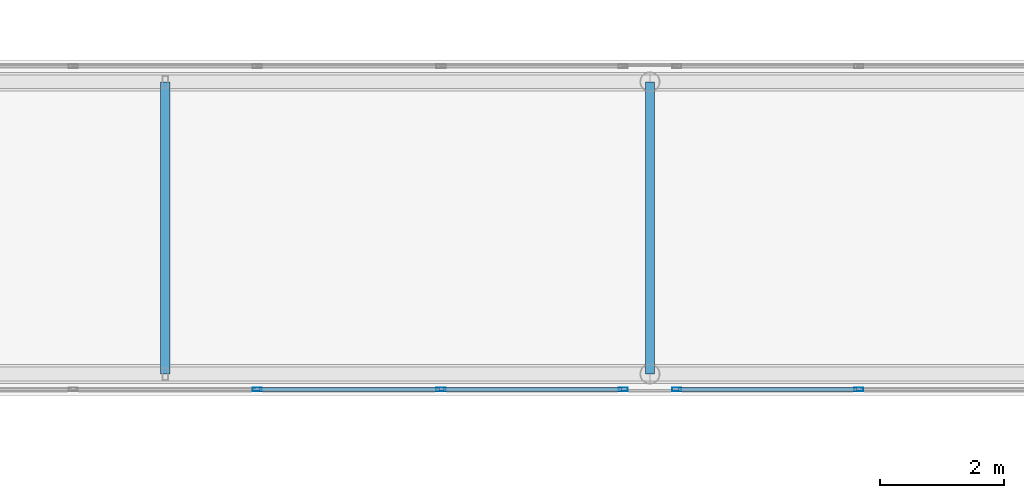
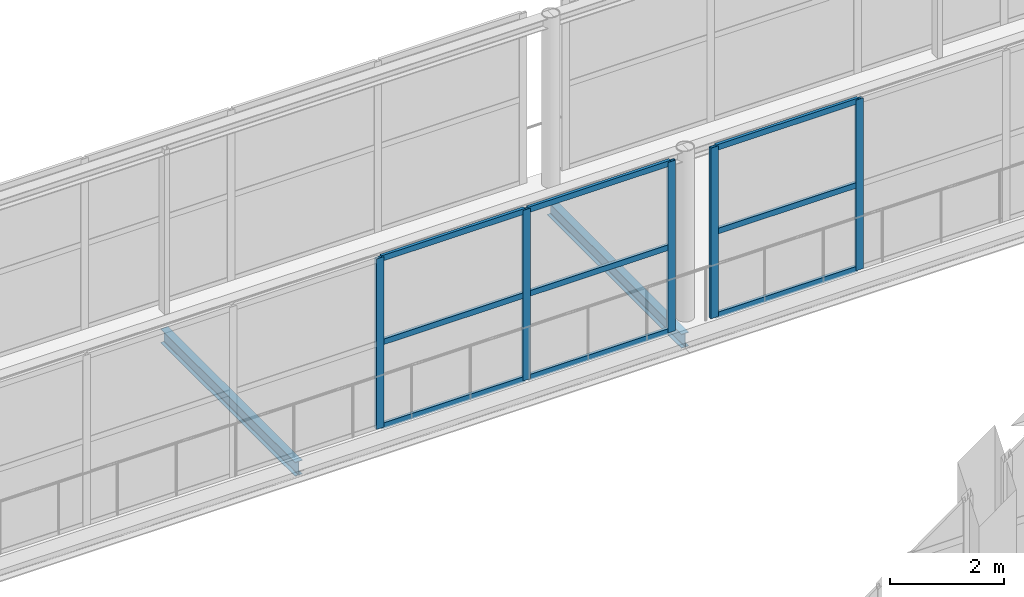
# One storey, part 50 of 175: 14 members, 2 beams, 2 elements without a shape of their own.
"""IFC4 building model written with IfcOpenShell, lengths in metres."""

from ifc_helpers import new_model, si_unit, direction, frame, origin, origin_2d, place, context, subcontext, project, spatial, hollow_rectangle, i_section, extrude, material, layer, layer_set, material_profile, profile_set, type_object, element, aggregate, save


model = new_model("IFC4")

# Units and contexts
model_context = context("Model", 3, precision=1e-05, world=origin(), true_north=direction((0.0, 1.0)))
body_context = subcontext(model_context, "Body", "Model", "MODEL_VIEW")
ifc_project = project(units=[si_unit("LENGTHUNIT", "METRE"), si_unit("AREAUNIT", "SQUARE_METRE"), si_unit("VOLUMEUNIT", "CUBIC_METRE"), si_unit("PLANEANGLEUNIT", "RADIAN"), si_unit("MASSUNIT", "GRAM", prefix="KILO")], contexts=[model_context])

# Site, building, storey
site_placement = place(None, origin())
site = spatial("IfcSite", under=ifc_project, at=site_placement, CompositionType="ELEMENT")
building_placement = place(site_placement, origin())
building = spatial("IfcBuilding", under=site, at=building_placement, Name="Zizhar Promenade General Hospital", CompositionType="ELEMENT")
storey_placement = place(building_placement, frame((0.0, 0.0, 4.800048828125)))
storey = spatial("IfcBuildingStorey", under=building, at=storey_placement, Name="L01", CompositionType="ELEMENT", Elevation=4.800048828125)

# Beams
ifc_material_1 = material(Name="Steel S355", Category="steel")
ifc_material_profile_1 = material_profile(ifc_material_1, i_section(OverallWidth=0.14990234375, OverallDepth=0.300048828125, WebThickness=0.007080078125, FlangeThickness=0.0107421875, FilletRadius=0.014892578125, at=origin_2d()))
ifc_profile_set_1 = profile_set([ifc_material_profile_1], Name="Steel S355")
beam_type = type_object("IfcBeamType", Name="BM-STL-IPE300", PredefinedType="JOIST", material=ifc_profile_set_1)
for number, where, z_axis, x_axis, name in (
    (1, (93.60009765625, 60.949951171875, -0.5), (0.0, 1.0, 0.0), (-1.0, 0.0, 0.0), "SB-1 Transverse Deck Beam 93.6"),
    (2, (101.39990234375, 60.949951171875, -0.5), (0.0, 1.0, 0.0), (-1.0, 0.0, 0.0), "SB-1 Transverse Deck Beam 101.4"),
):
    element("IfcBeam", number, at=place(storey_placement, frame(where, z_axis=z_axis, x_axis=x_axis)), inside=storey, type_object=beam_type, Name=name, PredefinedType="JOIST", context=body_context, shape_type="SweptSolid", body=[
        extrude(i_section(OverallWidth=0.14990234375, OverallDepth=0.300048828125, WebThickness=0.007080078125, FlangeThickness=0.0107421875, FilletRadius=0.014892578125, at=origin_2d()), origin(), (0.0, 0.0, 1.0), 4.699951171875),
    ])

# Curtain wall, members
ifc_material_2 = material(Name="Anodised aluminium 6063-T6 and low-E glass", Category="aluminium")
ifc_layer = layer(ifc_material_2, 0.159912109375)
ifc_layer_set = layer_set([ifc_layer], Name="Anodised aluminium 6063-T6 and low-E glass")
curtain_wall_type = type_object("IfcCurtainWallType", Name="CW-SKY-GLZ", PredefinedType="NOTDEFINED", material=ifc_layer_set)
curtain_wall_1_placement = place(storey_placement, origin())
curtain_wall_1 = element("IfcCurtainWall", 3, at=curtain_wall_1_placement, inside=storey, type_object=curtain_wall_type, Name="Courtyard Clinical Skybridge Level L01 South Glazing 2", PredefinedType="NOTDEFINED")
ifc_material_3 = material(Name="Anodised aluminium 6063-T6", Category="aluminium")
ifc_material_profile_2 = material_profile(ifc_material_3, hollow_rectangle(XDim=0.06005859375, YDim=0.14990234375, WallThickness=0.00390625, at=origin_2d()))
ifc_profile_set_2 = profile_set([ifc_material_profile_2], Name="Anodised aluminium 6063-T6")
member_type_1 = type_object("IfcMemberType", Name="CWM-ALU-150x60", PredefinedType="MULLION", material=ifc_profile_set_2)
member_1_placement = place(storey_placement, frame((100.969970703125, 60.699951171875, 0.0), z_axis=(0.0, 0.0, 1.0), x_axis=(0.0, -1.0, 0.0)))
member_1 = element("IfcMember", 4, at=member_1_placement, type_object=member_type_1, Name="CW-15 mullion 1", PredefinedType="MULLION", context=body_context, shape_type="SweptSolid", body=[
    extrude(hollow_rectangle(XDim=0.06005859375, YDim=0.14990234375, WallThickness=0.00390625, at=origin_2d()), origin(), (0.0, 0.0, 1.0), 3.639892578125),
])
member_2_placement = place(storey_placement, frame((98.0400390625, 60.699951171875, 0.0), z_axis=(0.0, 0.0, 1.0), x_axis=(0.0, -1.0, 0.0)))
member_2 = element("IfcMember", 5, at=member_2_placement, type_object=member_type_1, Name="CW-15 mullion 2", PredefinedType="MULLION", context=body_context, shape_type="SweptSolid", body=[
    extrude(hollow_rectangle(XDim=0.06005859375, YDim=0.14990234375, WallThickness=0.00390625, at=origin_2d()), origin(), (0.0, 0.0, 1.0), 3.639892578125),
])
member_3_placement = place(storey_placement, frame((95.080078125, 60.699951171875, 0.0), z_axis=(0.0, 0.0, 1.0), x_axis=(0.0, -1.0, 0.0)))
member_3 = element("IfcMember", 6, at=member_3_placement, type_object=member_type_1, Name="CW-15 mullion 3", PredefinedType="MULLION", context=body_context, shape_type="SweptSolid", body=[
    extrude(hollow_rectangle(XDim=0.06005859375, YDim=0.14990234375, WallThickness=0.00390625, at=origin_2d()), origin(), (0.0, 0.0, 1.0), 3.639892578125),
])

curtain_wall_2_placement = place(storey_placement, origin())
curtain_wall_2 = element("IfcCurtainWall", 7, at=curtain_wall_2_placement, inside=storey, type_object=curtain_wall_type, Name="Courtyard Clinical Skybridge Level L01 South Glazing 3", PredefinedType="NOTDEFINED")
member_4_placement = place(storey_placement, frame((104.760009765625, 60.699951171875, 0.0), z_axis=(0.0, 0.0, 1.0), x_axis=(0.0, -1.0, 0.0)))
member_4 = element("IfcMember", 8, at=member_4_placement, type_object=member_type_1, Name="CW-15 mullion 5", PredefinedType="MULLION", context=body_context, shape_type="SweptSolid", body=[
    extrude(hollow_rectangle(XDim=0.06005859375, YDim=0.14990234375, WallThickness=0.00390625, at=origin_2d()), origin(), (0.0, 0.0, 1.0), 3.639892578125),
])
member_5_placement = place(storey_placement, frame((101.830078125, 60.699951171875, 0.0), z_axis=(0.0, 0.0, 1.0), x_axis=(0.0, -1.0, 0.0)))
member_5 = element("IfcMember", 9, at=member_5_placement, type_object=member_type_1, Name="CW-15 mullion 6", PredefinedType="MULLION", context=body_context, shape_type="SweptSolid", body=[
    extrude(hollow_rectangle(XDim=0.06005859375, YDim=0.14990234375, WallThickness=0.00390625, at=origin_2d()), origin(), (0.0, 0.0, 1.0), 3.639892578125),
])

# Member
ifc_material_4 = material(Name="Anodised aluminium 6063-T6", Category="aluminium")
ifc_material_profile_3 = material_profile(ifc_material_4, hollow_rectangle(XDim=0.06005859375, YDim=0.1201171875, WallThickness=0.00390625, at=origin_2d()))
ifc_profile_set_3 = profile_set([ifc_material_profile_3], Name="Anodised aluminium 6063-T6")
member_type_2 = type_object("IfcMemberType", Name="CWT-ALU-120x60", PredefinedType="USERDEFINED", material=ifc_profile_set_3)
member_6_placement = place(storey_placement, frame((100.93994140625, 60.699951171875, 0.030029296875), z_axis=(-1.0, 0.0, 0.0), x_axis=(0.0, -1.0, 0.0)))
member_6 = element("IfcMember", 10, at=member_6_placement, type_object=member_type_2, Name="CW-15 transom 1.1", ObjectType="TRANSOM", PredefinedType="USERDEFINED", context=body_context, shape_type="SweptSolid", body=[
    extrude(hollow_rectangle(XDim=0.06005859375, YDim=0.1201171875, WallThickness=0.00390625, at=origin_2d()), origin(), (0.0, 0.0, 1.0), 2.869873046875),
])

member_7_placement = place(storey_placement, frame((100.93994140625, 60.699951171875, 1.820068359375), z_axis=(-1.0, 0.0, 0.0), x_axis=(0.0, -1.0, 0.0)))
member_7 = element("IfcMember", 11, at=member_7_placement, type_object=member_type_2, Name="CW-15 transom 1.2", ObjectType="TRANSOM", PredefinedType="USERDEFINED", context=body_context, shape_type="SweptSolid", body=[
    extrude(hollow_rectangle(XDim=0.06005859375, YDim=0.1201171875, WallThickness=0.00390625, at=origin_2d()), origin(), (0.0, 0.0, 1.0), 2.869873046875),
])

member_8_placement = place(storey_placement, frame((100.93994140625, 60.699951171875, 3.60986328125), z_axis=(-1.0, 0.0, 0.0), x_axis=(0.0, -1.0, 0.0)))
member_8 = element("IfcMember", 12, at=member_8_placement, type_object=member_type_2, Name="CW-15 transom 1.3", ObjectType="TRANSOM", PredefinedType="USERDEFINED", context=body_context, shape_type="SweptSolid", body=[
    extrude(hollow_rectangle(XDim=0.06005859375, YDim=0.1201171875, WallThickness=0.00390625, at=origin_2d()), origin(), (0.0, 0.0, 1.0), 2.869873046875),
])

member_9_placement = place(storey_placement, frame((98.010009765625, 60.699951171875, 0.030029296875), z_axis=(-1.0, 0.0, 0.0), x_axis=(0.0, -1.0, 0.0)))
member_9 = element("IfcMember", 13, at=member_9_placement, type_object=member_type_2, Name="CW-15 transom 2.1", ObjectType="TRANSOM", PredefinedType="USERDEFINED", context=body_context, shape_type="SweptSolid", body=[
    extrude(hollow_rectangle(XDim=0.06005859375, YDim=0.1201171875, WallThickness=0.00390625, at=origin_2d()), origin(), (0.0, 0.0, 1.0), 2.89990234375),
])

member_10_placement = place(storey_placement, frame((98.010009765625, 60.699951171875, 1.820068359375), z_axis=(-1.0, 0.0, 0.0), x_axis=(0.0, -1.0, 0.0)))
member_10 = element("IfcMember", 14, at=member_10_placement, type_object=member_type_2, Name="CW-15 transom 2.2", ObjectType="TRANSOM", PredefinedType="USERDEFINED", context=body_context, shape_type="SweptSolid", body=[
    extrude(hollow_rectangle(XDim=0.06005859375, YDim=0.1201171875, WallThickness=0.00390625, at=origin_2d()), origin(), (0.0, 0.0, 1.0), 2.89990234375),
])

member_11_placement = place(storey_placement, frame((98.010009765625, 60.699951171875, 3.60986328125), z_axis=(-1.0, 0.0, 0.0), x_axis=(0.0, -1.0, 0.0)))
member_11 = element("IfcMember", 15, at=member_11_placement, type_object=member_type_2, Name="CW-15 transom 2.3", ObjectType="TRANSOM", PredefinedType="USERDEFINED", context=body_context, shape_type="SweptSolid", body=[
    extrude(hollow_rectangle(XDim=0.06005859375, YDim=0.1201171875, WallThickness=0.00390625, at=origin_2d()), origin(), (0.0, 0.0, 1.0), 2.89990234375),
])

aggregate(curtain_wall_1, [member_1, member_2, member_3, member_6, member_7, member_8, member_9, member_10, member_11])

member_12_placement = place(storey_placement, frame((104.72998046875, 60.699951171875, 0.030029296875), z_axis=(-1.0, 0.0, 0.0), x_axis=(0.0, -1.0, 0.0)))
member_12 = element("IfcMember", 16, at=member_12_placement, type_object=member_type_2, Name="CW-15 transom 5.1", ObjectType="TRANSOM", PredefinedType="USERDEFINED", context=body_context, shape_type="SweptSolid", body=[
    extrude(hollow_rectangle(XDim=0.06005859375, YDim=0.1201171875, WallThickness=0.00390625, at=origin_2d()), origin(), (0.0, 0.0, 1.0), 2.869873046875),
])

member_13_placement = place(storey_placement, frame((104.72998046875, 60.699951171875, 1.820068359375), z_axis=(-1.0, 0.0, 0.0), x_axis=(0.0, -1.0, 0.0)))
member_13 = element("IfcMember", 17, at=member_13_placement, type_object=member_type_2, Name="CW-15 transom 5.2", ObjectType="TRANSOM", PredefinedType="USERDEFINED", context=body_context, shape_type="SweptSolid", body=[
    extrude(hollow_rectangle(XDim=0.06005859375, YDim=0.1201171875, WallThickness=0.00390625, at=origin_2d()), origin(), (0.0, 0.0, 1.0), 2.869873046875),
])

member_14_placement = place(storey_placement, frame((104.72998046875, 60.699951171875, 3.60986328125), z_axis=(-1.0, 0.0, 0.0), x_axis=(0.0, -1.0, 0.0)))
member_14 = element("IfcMember", 18, at=member_14_placement, type_object=member_type_2, Name="CW-15 transom 5.3", ObjectType="TRANSOM", PredefinedType="USERDEFINED", context=body_context, shape_type="SweptSolid", body=[
    extrude(hollow_rectangle(XDim=0.06005859375, YDim=0.1201171875, WallThickness=0.00390625, at=origin_2d()), origin(), (0.0, 0.0, 1.0), 2.869873046875),
])

aggregate(curtain_wall_2, [member_4, member_5, member_12, member_13, member_14])

save(model, "model.ifc")
